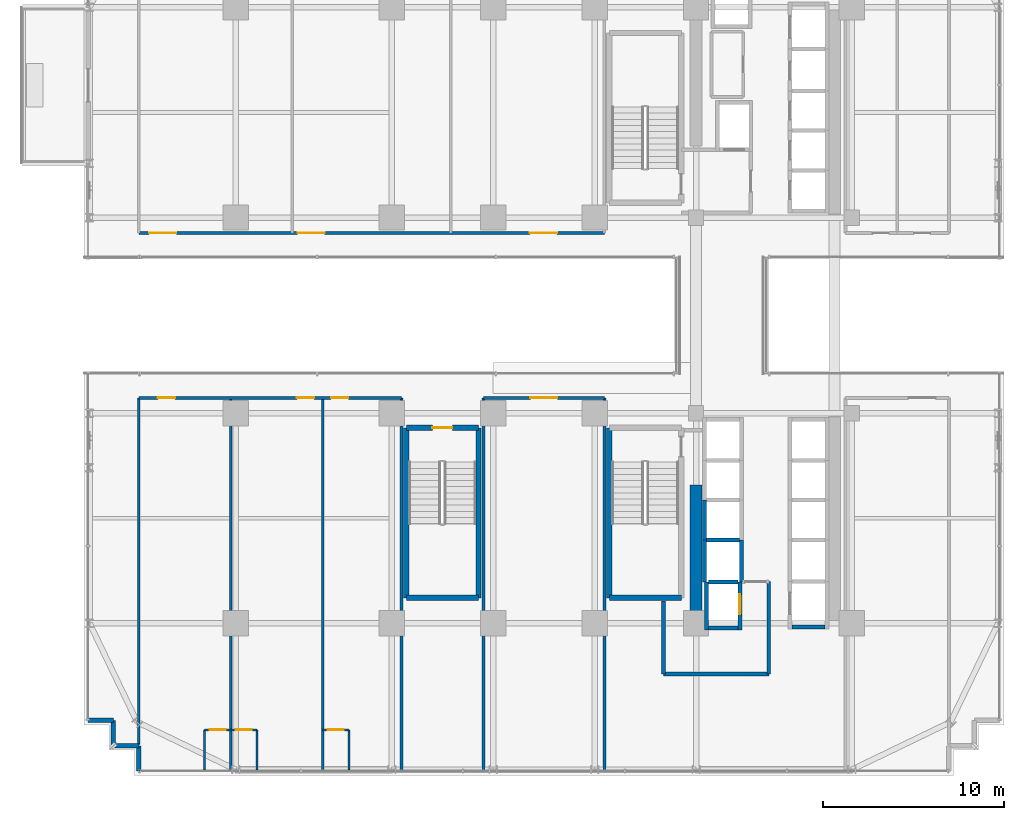
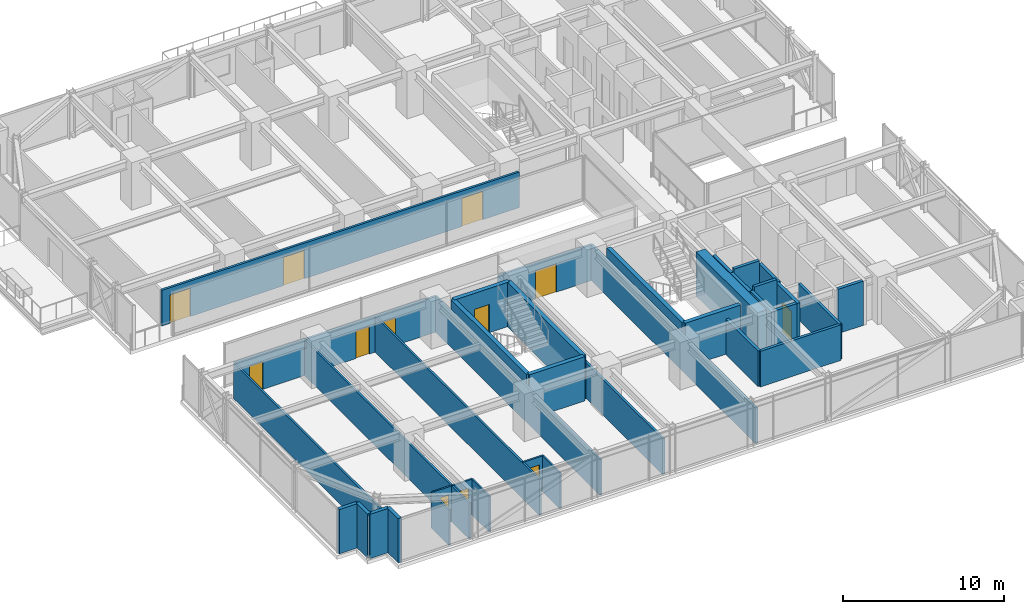
# One storey, part 36 of 43: 38 walls, 12 doors, 12 openings.
"""IFC4 building model written with IfcOpenShell, lengths in metres."""

from ifc_helpers import new_model, si_unit, direction, frame, frame_2d, origin, place, context, subcontext, project, spatial, rectangle, extrude, source, transform, mapped, material, layer, layer_set, type_object, element, fill, save


model = new_model("IFC4")

# Units and contexts
model_context = context("Model", 3, precision=1e-05, world=origin(), true_north=direction((0.0, 1.0)))
body_context = subcontext(model_context, "Body", "Model", "MODEL_VIEW")
ifc_project = project(units=[si_unit("LENGTHUNIT", "METRE"), si_unit("AREAUNIT", "SQUARE_METRE"), si_unit("VOLUMEUNIT", "CUBIC_METRE"), si_unit("PLANEANGLEUNIT", "RADIAN"), si_unit("MASSUNIT", "GRAM", prefix="KILO")], contexts=[model_context])

# Site, building, storey
site_placement = place(None, origin())
site = spatial("IfcSite", under=ifc_project, at=site_placement, CompositionType="ELEMENT")
building_placement = place(site_placement, origin())
building = spatial("IfcBuilding", under=site, at=building_placement, Name="Nahalor Promenade Grand Hotel", CompositionType="ELEMENT")
storey_placement = place(building_placement, frame((0.0, 0.0, 47.0)))
storey = spatial("IfcBuildingStorey", under=building, at=storey_placement, Name="L10", CompositionType="ELEMENT", Elevation=47.0)

# Walls
ifc_material_1 = material(Name="Concrete B-60 (C50/60)", Category="concrete")
ifc_layer_1 = layer(ifc_material_1, 0.64990234375)
ifc_layer_set_1 = layer_set([ifc_layer_1], Name="Concrete B-60 (C50/60)")
wall_type_1 = type_object("IfcWallType", Name="Wall-CoreShear-650", PredefinedType="SHEAR", material=ifc_layer_set_1)
shared_shape_1 = source(origin(), body_context, "Body", "SweptSolid", [
    extrude(rectangle(XDim=7.64990234375, YDim=0.64990234375, at=frame_2d((3.824951171875, 0.0))), origin(), (0.0, 0.0, 1.0), 3.3701171875),
])
wall_1_placement = place(storey_placement, frame((8.39990234375, -17.0, 0.0), z_axis=(0.0, 0.0, 1.0), x_axis=(0.0, 1.0, 0.0)))
element("IfcWall", 1, at=wall_1_placement, inside=storey, type_object=wall_type_1, Name="CWALL-L10-SW", PredefinedType="SHEAR", context=body_context, shape_type="MappedRepresentation", body=[
    mapped(shared_shape_1, transform((0.0, 0.0, 0.0), scale=1.0)),
])
ifc_material_2 = material(Name="Concrete B-50 (C40/50)", Category="concrete")
ifc_layer_2 = layer(ifc_material_2, 0.300048828125)
ifc_layer_set_2 = layer_set([ifc_layer_2], Name="Concrete B-50 (C40/50)")
wall_type_2 = type_object("IfcWallType", Name="Wall-ShaftShear-300", PredefinedType="SHEAR", material=ifc_layer_set_2)
shared_shape_2 = source(origin(), body_context, "Body", "SweptSolid", [
    extrude(rectangle(XDim=3.97998046875, YDim=0.300048828125, at=frame_2d((1.989990234375, 0.0))), origin(), (0.0, 0.0, 1.0), 3.3701171875),
])
for number, where, z_axis, x_axis, name in (
    (2, (3.610107421875, -15.590087890625, 0.0), (0.0, 0.0, 1.0), (1.0, 0.0, 0.0), "L10 Exit Stair ST2 Shaft Wall S"),
    (3, (-7.590087890625, -15.590087890625, 0.0), (0.0, 0.0, 1.0), (1.0, 0.0, 0.0), "L10 Exit Stair ST3 Shaft Wall S"),
):
    element("IfcWall", number, at=place(storey_placement, frame(where, z_axis=z_axis, x_axis=x_axis)), inside=storey, type_object=wall_type_2, Name=name, PredefinedType="SHEAR", context=body_context, shape_type="MappedRepresentation", body=[
        mapped(shared_shape_2, transform((0.0, 0.0, 0.0), scale=1.0)),
    ])

# Wall, opening, door
wall_2_placement = place(storey_placement, frame((-7.590087890625, -6.2099609375, 0.0), z_axis=(0.0, 0.0, 1.0), x_axis=(1.0, 0.0, 0.0)))
wall_2 = element("IfcWall", 4, at=wall_2_placement, inside=storey, type_object=wall_type_2, Name="L10 Exit Stair ST3 Shaft Wall N", PredefinedType="SHEAR", context=body_context, shape_type="MappedRepresentation", body=[
    mapped(shared_shape_2, transform((0.0, 0.0, 0.0), scale=1.0)),
])
opening_1_placement = place(wall_2_placement, frame((1.43994140625, 0.0, 0.0)))
opening_1 = element("IfcOpeningElement", 5, at=opening_1_placement, cuts=wall_2, Name="Opening D-ST1", PredefinedType="OPENING", context=body_context, shape_type="SweptSolid", body=[
    extrude(rectangle(XDim=1.10009765625, YDim=2.14990234375, at=frame_2d((0.550048828125, 1.074951171875))), frame((0.0, 0.159912109375, 0.0), z_axis=(0.0, -1.0, 0.0), x_axis=(1.0, 0.0, 0.0)), (0.0, 0.0, 1.0), 0.320068359375),
])
ifc_material_3 = material(Name="Steel S355JR", Category="steel")
door_type_1 = type_object("IfcDoorType", Name="Door-StairFire-1100", OperationType="NOTDEFINED", PredefinedType="DOOR", material=ifc_material_3)
shared_shape_3 = source(origin(), body_context, "Body", "SweptSolid", [
    extrude(rectangle(XDim=1.10009765625, YDim=2.14990234375, at=frame_2d((0.550048828125, 1.074951171875))), frame((0.0, 0.02490234375, 0.0), z_axis=(0.0, -1.0, 0.0), x_axis=(1.0, 0.0, 0.0)), (0.0, 0.0, 1.0), 0.050048828125),
])
door_1_placement = place(opening_1_placement, frame((1.10009765625, 0.0, 0.0), z_axis=(0.0, 0.0, 1.0), x_axis=(-1.0, 0.0, 0.0)))
door_1 = element("IfcDoor", 6, at=door_1_placement, inside=storey, type_object=door_type_1, Name="DR-STAIR-ST3-L10", OperationType="SINGLE_SWING_LEFT", OverallHeight=2.14990234375, OverallWidth=1.10009765625, PredefinedType="DOOR", context=body_context, shape_type="MappedRepresentation", body=[
    mapped(shared_shape_3, transform((0.0, 0.0, 0.0), scale=1.0)),
])
fill(opening_1, door_1)

# Walls
shared_shape_4 = source(origin(), body_context, "Body", "SweptSolid", [
    extrude(rectangle(XDim=9.380126953125, YDim=0.300048828125, at=frame_2d((4.68994140625, 0.0))), origin(), (0.0, 0.0, 1.0), 3.3701171875),
])
for number, where, z_axis, x_axis, name in (
    (7, (3.610107421875, -15.590087890625, 0.0), (0.0, 0.0, 1.0), (0.0, 1.0, 0.0), "L10 Exit Stair ST2 Shaft Wall W"),
    (8, (-7.590087890625, -15.590087890625, 0.0), (0.0, 0.0, 1.0), (0.0, 1.0, 0.0), "L10 Exit Stair ST3 Shaft Wall W"),
    (9, (-3.610107421875, -15.590087890625, 0.0), (0.0, 0.0, 1.0), (0.0, 1.0, 0.0), "L10 Exit Stair ST3 Shaft Wall E"),
):
    element("IfcWall", number, at=place(storey_placement, frame(where, z_axis=z_axis, x_axis=x_axis)), inside=storey, type_object=wall_type_2, Name=name, PredefinedType="SHEAR", context=body_context, shape_type="MappedRepresentation", body=[
        mapped(shared_shape_4, transform((0.0, 0.0, 0.0), scale=1.0)),
    ])
ifc_layer_3 = layer(ifc_material_2, 0.219970703125)
ifc_layer_set_3 = layer_set([ifc_layer_3], Name="Concrete B-50 (C40/50)")
wall_type_3 = type_object("IfcWallType", Name="Wall-LiftShaft-220", PredefinedType="SHEAR", material=ifc_layer_set_3)
shared_shape_5 = source(origin(), body_context, "Body", "SweptSolid", [
    extrude(rectangle(XDim=1.820068359375, YDim=0.219970703125, at=frame_2d((0.91015625, 0.0))), origin(), (0.0, 0.0, 1.0), 3.3701171875),
])
wall_3_placement = place(storey_placement, frame((13.68994140625, -17.199951171875, 0.0), z_axis=(0.0, 0.0, 1.0), x_axis=(1.0, 0.0, 0.0)))
element("IfcWall", 10, at=wall_3_placement, inside=storey, type_object=wall_type_3, Name="L10 Lift SV2 Hoistway Wall S", PredefinedType="SHEAR", context=body_context, shape_type="MappedRepresentation", body=[
    mapped(shared_shape_5, transform((0.0, 0.0, 0.0), scale=1.0)),
])
shared_shape_6 = source(origin(), body_context, "Body", "SweptSolid", [
    extrude(rectangle(XDim=1.820068359375, YDim=0.219970703125, at=frame_2d((0.91015625, 0.0))), origin(), (0.0, 0.0, 1.0), 3.64990234375),
])
wall_4_placement = place(storey_placement, frame((8.989990234375, -12.39990234375, 0.0), z_axis=(0.0, 0.0, 1.0), x_axis=(1.0, 0.0, 0.0)))
element("IfcWall", 11, at=wall_4_placement, inside=storey, type_object=wall_type_3, Name="L10 Lift PL12 Hoistway Wall N", PredefinedType="SHEAR", context=body_context, shape_type="MappedRepresentation", body=[
    mapped(shared_shape_6, transform((0.0, 0.0, 0.0), scale=1.0)),
])
shared_shape_7 = source(origin(), body_context, "Body", "SweptSolid", [
    extrude(rectangle(XDim=2.199951171875, YDim=0.219970703125, at=frame_2d((1.10009765625, 0.0))), origin(), (0.0, 0.0, 1.0), 3.3701171875),
])
wall_5_placement = place(storey_placement, frame((8.8798828125, -12.39990234375, 0.0), z_axis=(0.0, 0.0, 1.0), x_axis=(0.0, 1.0, 0.0)))
element("IfcWall", 12, at=wall_5_placement, inside=storey, type_object=wall_type_3, Name="L10 Lift PL11 Hoistway Wall W", PredefinedType="SHEAR", context=body_context, shape_type="MappedRepresentation", body=[
    mapped(shared_shape_7, transform((0.0, 0.0, 0.0), scale=1.0)),
])
shared_shape_8 = source(origin(), body_context, "Body", "SweptSolid", [
    extrude(rectangle(XDim=2.3251953125, YDim=0.219970703125, at=frame_2d((1.16259765625, 0.0))), origin(), (0.0, 0.0, 1.0), 3.3701171875),
])
for number, where, z_axis, x_axis, name in (
    (13, (8.8798828125, -14.72509765625, 0.0), (0.0, 0.0, 1.0), (0.0, 1.0, 0.0), "L10 Lift PL12 Hoistway Wall W"),
    (14, (10.919921875, -14.72509765625, 0.0), (0.0, 0.0, 1.0), (0.0, 1.0, 0.0), "L10 Lift PL12 Hoistway Wall E"),
):
    element("IfcWall", number, at=place(storey_placement, frame(where, z_axis=z_axis, x_axis=x_axis)), inside=storey, type_object=wall_type_3, Name=name, PredefinedType="SHEAR", context=body_context, shape_type="MappedRepresentation", body=[
        mapped(shared_shape_8, transform((0.0, 0.0, 0.0), scale=1.0)),
    ])
shared_shape_9 = source(origin(), body_context, "Body", "SweptSolid", [
    extrude(rectangle(XDim=2.635009765625, YDim=0.219970703125, at=frame_2d((1.3173828125, 0.0))), origin(), (0.0, 0.0, 1.0), 3.3701171875),
])
wall_6_placement = place(storey_placement, frame((8.97998046875, -17.360107421875, 0.0), z_axis=(0.0, 0.0, 1.0), x_axis=(0.0, 1.0, 0.0)))
element("IfcWall", 15, at=wall_6_placement, inside=storey, type_object=wall_type_3, Name="L10 Lift FL2 Hoistway Wall W", PredefinedType="SHEAR", context=body_context, shape_type="MappedRepresentation", body=[
    mapped(shared_shape_9, transform((0.0, 0.0, 0.0), scale=1.0)),
])

# Wall, opening, door
wall_7_placement = place(storey_placement, frame((10.820068359375, -17.360107421875, 0.0), z_axis=(0.0, 0.0, 1.0), x_axis=(0.0, 1.0, 0.0)))
wall_7 = element("IfcWall", 16, at=wall_7_placement, inside=storey, type_object=wall_type_3, Name="L10 Lift FL2 Hoistway Wall E", PredefinedType="SHEAR", context=body_context, shape_type="MappedRepresentation", body=[
    mapped(shared_shape_9, transform((0.0, 0.0, 0.0), scale=1.0)),
])
opening_2_placement = place(wall_7_placement, frame((0.860107421875, 0.0, 0.0)))
opening_2 = element("IfcOpeningElement", 17, at=opening_2_placement, cuts=wall_7, Name="Opening LD-02", PredefinedType="OPENING", context=body_context, shape_type="SweptSolid", body=[
    extrude(rectangle(XDim=1.10009765625, YDim=2.199951171875, at=frame_2d((0.550048828125, 1.10009765625))), frame((0.0, 0.119873046875, 0.0), z_axis=(0.0, -1.0, 0.0), x_axis=(1.0, 0.0, 0.0)), (0.0, 0.0, 1.0), 0.239990234375),
])
door_type_2 = type_object("IfcDoorType", Name="Door-LiftFF-1100", OperationType="DOUBLE_DOOR_SLIDING", PredefinedType="DOOR", material=ifc_material_3)
shared_shape_10 = source(origin(), body_context, "Body", "SweptSolid", [
    extrude(rectangle(XDim=1.10009765625, YDim=2.199951171875, at=frame_2d((0.550048828125, 1.10009765625))), frame((0.0, 0.02490234375, 0.0), z_axis=(0.0, -1.0, 0.0), x_axis=(1.0, 0.0, 0.0)), (0.0, 0.0, 1.0), 0.050048828125),
])
door_2_placement = place(opening_2_placement, frame((1.10009765625, 0.0, 0.0), z_axis=(0.0, 0.0, 1.0), x_axis=(-1.0, 0.0, 0.0)))
door_2 = element("IfcDoor", 18, at=door_2_placement, inside=storey, type_object=door_type_2, Name="DR-LIFT-FL2-L10", OperationType="DOUBLE_DOOR_SLIDING", OverallHeight=2.199951171875, OverallWidth=1.10009765625, PredefinedType="DOOR", context=body_context, shape_type="MappedRepresentation", body=[
    mapped(shared_shape_10, transform((0.0, 0.0, 0.0), scale=1.0)),
])
fill(opening_2, door_2)

# Walls
shared_shape_11 = source(origin(), body_context, "Body", "SweptSolid", [
    extrude(rectangle(XDim=1.619873046875, YDim=0.219970703125, at=frame_2d((0.81005859375, 0.0))), origin(), (0.0, 0.0, 1.0), 3.3701171875),
])
wall_8_placement = place(storey_placement, frame((9.090087890625, -17.25, 0.0), z_axis=(0.0, 0.0, 1.0), x_axis=(1.0, 0.0, 0.0)))
element("IfcWall", 19, at=wall_8_placement, inside=storey, type_object=wall_type_3, Name="L10 Lift FL2 Hoistway Wall S", PredefinedType="SHEAR", context=body_context, shape_type="MappedRepresentation", body=[
    mapped(shared_shape_11, transform((0.0, 0.0, 0.0), scale=1.0)),
])
shared_shape_12 = source(origin(), body_context, "Body", "SweptSolid", [
    extrude(rectangle(XDim=1.619873046875, YDim=0.219970703125, at=frame_2d((0.81005859375, 0.0))), origin(), (0.0, 0.0, 1.0), 3.64990234375),
])
wall_9_placement = place(storey_placement, frame((9.090087890625, -14.72509765625, 0.0), z_axis=(0.0, 0.0, 1.0), x_axis=(1.0, 0.0, 0.0)))
element("IfcWall", 20, at=wall_9_placement, inside=storey, type_object=wall_type_3, Name="L10 Lift FL2 Hoistway Wall N", PredefinedType="SHEAR", context=body_context, shape_type="MappedRepresentation", body=[
    mapped(shared_shape_12, transform((0.0, 0.0, 0.0), scale=1.0)),
])
ifc_material_4 = material(Name="Concrete B-40 (C32/40)", Category="concrete")
ifc_layer_4 = layer(ifc_material_4, 0.25)
ifc_layer_set_4 = layer_set([ifc_layer_4], Name="Concrete B-40 (C32/40)")
wall_type_4 = type_object("IfcWallType", Name="Wall-BronzePier-250", PredefinedType="STANDARD", material=ifc_layer_set_4)
shared_shape_13 = source(origin(), body_context, "Body", "SweptSolid", [
    extrude(rectangle(XDim=1.39990234375, YDim=0.25, at=frame_2d((0.699951171875, 0.0))), origin(), (0.0, 0.0, 1.0), 3.3701171875),
])
for number, where, z_axis, x_axis, name in (
    (21, (-25.159912109375, -22.360107421875, 0.0), (0.0, 0.0, 1.0), (1.0, 0.0, 0.0), "W-L10-SR-13"),
    (22, (-23.760009765625, -23.760009765625, 0.0), (0.0, 0.0, 1.0), (0.0, 1.0, 0.0), "W-L10-SR-14"),
    (23, (-23.760009765625, -23.760009765625, 0.0), (0.0, 0.0, 1.0), (1.0, 0.0, 0.0), "W-L10-SR-15"),
    (24, (-22.360107421875, -25.159912109375, 0.0), (0.0, 0.0, 1.0), (0.0, 1.0, 0.0), "W-L10-SR-16"),
):
    element("IfcWall", number, at=place(storey_placement, frame(where, z_axis=z_axis, x_axis=x_axis)), inside=storey, type_object=wall_type_4, Name=name, PredefinedType="STANDARD", context=body_context, shape_type="MappedRepresentation", body=[
        mapped(shared_shape_13, transform((0.0, 0.0, 0.0), scale=1.0)),
    ])
ifc_layer_5 = layer(ifc_material_4, 0.199951171875)
ifc_layer_set_5 = layer_set([ifc_layer_5], Name="Concrete B-40 (C32/40)")
wall_type_5 = type_object("IfcWallType", Name="Wall-PartFire-200", PredefinedType="PARTITIONING", material=ifc_layer_set_5)
shared_shape_14 = source(origin(), body_context, "Body", "SweptSolid", [
    extrude(rectangle(XDim=5.81982421875, YDim=0.199951171875, at=frame_2d((2.909912109375, 0.0))), origin(), (0.0, 0.0, 1.0), 2.7099609375),
])
wall_10_placement = place(storey_placement, frame((6.60009765625, -19.800048828125, 0.0), z_axis=(0.0, 0.0, 1.0), x_axis=(1.0, 0.0, 0.0)))
element("IfcWall", 25, at=wall_10_placement, inside=storey, type_object=wall_type_5, Name="W-L10-FF2-S1", PredefinedType="PARTITIONING", context=body_context, shape_type="MappedRepresentation", body=[
    mapped(shared_shape_14, transform((0.0, 0.0, 0.0), scale=1.0)),
])
shared_shape_15 = source(origin(), body_context, "Body", "SweptSolid", [
    extrude(rectangle(XDim=4.030029296875, YDim=0.199951171875, at=frame_2d((2.01513671875, 0.0))), origin(), (0.0, 0.0, 1.0), 2.7099609375),
])
wall_11_placement = place(storey_placement, frame((6.60009765625, -19.800048828125, 0.0), z_axis=(0.0, 0.0, 1.0), x_axis=(0.0, 1.0, 0.0)))
element("IfcWall", 26, at=wall_11_placement, inside=storey, type_object=wall_type_5, Name="W-L10-FF2-W1", PredefinedType="PARTITIONING", context=body_context, shape_type="MappedRepresentation", body=[
    mapped(shared_shape_15, transform((0.0, 0.0, 0.0), scale=1.0)),
])
shared_shape_16 = source(origin(), body_context, "Body", "SweptSolid", [
    extrude(rectangle(XDim=5.10009765625, YDim=0.199951171875, at=frame_2d((2.550048828125, 0.0))), origin(), (0.0, 0.0, 1.0), 2.7099609375),
])
wall_12_placement = place(storey_placement, frame((12.419921875, -19.800048828125, 0.0), z_axis=(0.0, 0.0, 1.0), x_axis=(0.0, 1.0, 0.0)))
element("IfcWall", 27, at=wall_12_placement, inside=storey, type_object=wall_type_5, Name="W-L10-FF2-E", PredefinedType="PARTITIONING", context=body_context, shape_type="MappedRepresentation", body=[
    mapped(shared_shape_16, transform((0.0, 0.0, 0.0), scale=1.0)),
])
ifc_material_5 = material(Name="Acoustic Mineral Gypsum", Category="gypsum")
ifc_layer_6 = layer(ifc_material_5, 0.159912109375)
ifc_layer_set_6 = layer_set([ifc_layer_6], Name="Acoustic Mineral Gypsum")
wall_type_6 = type_object("IfcWallType", Name="Wall-PartCorridor-160", PredefinedType="PARTITIONING", material=ifc_layer_set_6)
shared_shape_17 = source(origin(), body_context, "Body", "SweptSolid", [
    extrude(rectangle(XDim=20.550048828125, YDim=0.159912109375, at=frame_2d((10.27490234375, 0.0))), origin(), (0.0, 0.0, 1.0), 2.7099609375),
])
for number, where, z_axis, x_axis, name in (
    (28, (-3.340087890625, -25.10009765625, 0.0), (0.0, 0.0, 1.0), (0.0, 1.0, 0.0), "W-L10-SCB-W"),
    (29, (3.340087890625, -25.10009765625, 0.0), (0.0, 0.0, 1.0), (0.0, 1.0, 0.0), "W-L10-SCB-E"),
):
    element("IfcWall", number, at=place(storey_placement, frame(where, z_axis=z_axis, x_axis=x_axis)), inside=storey, type_object=wall_type_6, Name=name, PredefinedType="PARTITIONING", context=body_context, shape_type="MappedRepresentation", body=[
        mapped(shared_shape_17, transform((0.0, 0.0, 0.0), scale=1.0)),
    ])

# Wall, openings, doors
shared_shape_18 = source(origin(), body_context, "Body", "SweptSolid", [
    extrude(rectangle(XDim=25.7001953125, YDim=0.159912109375, at=frame_2d((12.85009765625, 0.0))), origin(), (0.0, 0.0, 1.0), 2.7099609375),
])
wall_13_placement = place(storey_placement, frame((-22.360107421875, 4.550048828125, 0.0), z_axis=(0.0, 0.0, 1.0), x_axis=(1.0, 0.0, 0.0)))
wall_13 = element("IfcWall", 30, at=wall_13_placement, inside=storey, type_object=wall_type_6, Name="W-L10-CORR-N", PredefinedType="PARTITIONING", context=body_context, shape_type="MappedRepresentation", body=[
    mapped(shared_shape_18, transform((0.0, 0.0, 0.0), scale=1.0)),
])
opening_3_placement = place(wall_13_placement, frame((0.568115234375, 0.0, 0.0)))
opening_3 = element("IfcOpeningElement", 31, at=opening_3_placement, cuts=wall_13, Name="Opening D-02", PredefinedType="OPENING", context=body_context, shape_type="SweptSolid", body=[
    extrude(rectangle(XDim=1.5, YDim=2.14990234375, at=frame_2d((0.75, 1.074951171875))), frame((0.0, 0.08984375, 0.0), z_axis=(0.0, -1.0, 0.0), x_axis=(1.0, 0.0, 0.0)), (0.0, 0.0, 1.0), 0.179931640625),
])
opening_4_placement = place(wall_13_placement, frame((8.762939453125, 0.0, 0.0)))
opening_4 = element("IfcOpeningElement", 32, at=opening_4_placement, cuts=wall_13, Name="Opening D-02", PredefinedType="OPENING", context=body_context, shape_type="SweptSolid", body=[
    extrude(rectangle(XDim=1.5, YDim=2.14990234375, at=frame_2d((0.75, 1.074951171875))), frame((0.0, 0.08984375, 0.0), z_axis=(0.0, -1.0, 0.0), x_axis=(1.0, 0.0, 0.0)), (0.0, 0.0, 1.0), 0.179931640625),
])
opening_5_placement = place(wall_13_placement, frame((21.5859375, 0.0, 0.0)))
opening_5 = element("IfcOpeningElement", 33, at=opening_5_placement, cuts=wall_13, Name="Opening D-02", PredefinedType="OPENING", context=body_context, shape_type="SweptSolid", body=[
    extrude(rectangle(XDim=1.5, YDim=2.14990234375, at=frame_2d((0.75, 1.074951171875))), frame((0.0, 0.08984375, 0.0), z_axis=(0.0, -1.0, 0.0), x_axis=(1.0, 0.0, 0.0)), (0.0, 0.0, 1.0), 0.179931640625),
])
ifc_material_6 = material(Name="Fire-Rated Timber Composite", Category="wood")
door_type_3 = type_object("IfcDoorType", Name="Door-SuiteDouble-1500", OperationType="DOUBLE_DOOR_SINGLE_SWING", PredefinedType="DOOR", material=ifc_material_6)
shared_shape_19 = source(origin(), body_context, "Body", "SweptSolid", [
    extrude(rectangle(XDim=1.5, YDim=2.14990234375, at=frame_2d((0.75, 1.074951171875))), frame((0.0, 0.02490234375, 0.0), z_axis=(0.0, -1.0, 0.0), x_axis=(1.0, 0.0, 0.0)), (0.0, 0.0, 1.0), 0.050048828125),
])
door_3_placement = place(opening_3_placement, origin())
door_3 = element("IfcDoor", 34, at=door_3_placement, inside=storey, type_object=door_type_3, Name="DR-L10-N1-ENT", OperationType="DOUBLE_DOOR_SINGLE_SWING", OverallHeight=2.14990234375, OverallWidth=1.5, PredefinedType="DOOR", context=body_context, shape_type="MappedRepresentation", body=[
    mapped(shared_shape_19, transform((0.0, 0.0, 0.0), scale=1.0)),
])
fill(opening_3, door_3)
door_4_placement = place(opening_4_placement, origin())
door_4 = element("IfcDoor", 35, at=door_4_placement, inside=storey, type_object=door_type_3, Name="DR-L10-N2-ENT", OperationType="DOUBLE_DOOR_SINGLE_SWING", OverallHeight=2.14990234375, OverallWidth=1.5, PredefinedType="DOOR", context=body_context, shape_type="MappedRepresentation", body=[
    mapped(shared_shape_19, transform((0.0, 0.0, 0.0), scale=1.0)),
])
fill(opening_4, door_4)
door_5_placement = place(opening_5_placement, origin())
door_5 = element("IfcDoor", 36, at=door_5_placement, inside=storey, type_object=door_type_3, Name="DR-L10-N3-ENT", OperationType="DOUBLE_DOOR_SINGLE_SWING", OverallHeight=2.14990234375, OverallWidth=1.5, PredefinedType="DOOR", context=body_context, shape_type="MappedRepresentation", body=[
    mapped(shared_shape_19, transform((0.0, 0.0, 0.0), scale=1.0)),
])
fill(opening_5, door_5)

# Walls
ifc_layer_7 = layer(ifc_material_5, 0.139892578125)
ifc_layer_set_7 = layer_set([ifc_layer_7], Name="Acoustic Mineral Gypsum")
wall_type_7 = type_object("IfcWallType", Name="Wall-PartSuite-140", PredefinedType="PARTITIONING", material=ifc_layer_set_7)
shared_shape_20 = source(origin(), body_context, "Body", "SweptSolid", [
    extrude(rectangle(XDim=19.1298828125, YDim=0.139892578125, at=frame_2d((9.56494140625, 0.0))), origin(), (0.0, 0.0, 1.0), 2.7099609375),
])
wall_14_placement = place(storey_placement, frame((-22.360107421875, -23.679931640625, 0.0), z_axis=(0.0, 0.0, 1.0), x_axis=(0.0, 1.0, 0.0)))
element("IfcWall", 37, at=wall_14_placement, inside=storey, type_object=wall_type_7, Name="W-L10-SW-ENDW", PredefinedType="PARTITIONING", context=body_context, shape_type="MappedRepresentation", body=[
    mapped(shared_shape_20, transform((0.0, 0.0, 0.0), scale=1.0)),
])
shared_shape_21 = source(origin(), body_context, "Body", "SweptSolid", [
    extrude(rectangle(XDim=20.550048828125, YDim=0.139892578125, at=frame_2d((10.27490234375, 0.0))), origin(), (0.0, 0.0, 1.0), 2.7099609375),
])
for number, where, z_axis, x_axis, name in (
    (38, (-7.860107421875, -25.10009765625, 0.0), (0.0, 0.0, 1.0), (0.0, 1.0, 0.0), "W-L10-SW-ENDE"),
    (39, (-17.284912109375, -25.10009765625, 0.0), (0.0, 0.0, 1.0), (0.0, 1.0, 0.0), "W-L10-SP-1"),
    (40, (-12.2099609375, -25.10009765625, 0.0), (0.0, 0.0, 1.0), (0.0, 1.0, 0.0), "W-L10-SP-2"),
):
    element("IfcWall", number, at=place(storey_placement, frame(where, z_axis=z_axis, x_axis=x_axis)), inside=storey, type_object=wall_type_7, Name=name, PredefinedType="PARTITIONING", context=body_context, shape_type="MappedRepresentation", body=[
        mapped(shared_shape_21, transform((0.0, 0.0, 0.0), scale=1.0)),
    ])

# Wall, opening, door
ifc_layer_8 = layer(ifc_material_5, 0.1201171875)
ifc_layer_set_8 = layer_set([ifc_layer_8], Name="Acoustic Mineral Gypsum")
wall_type_8 = type_object("IfcWallType", Name="Wall-PartBath-120", PredefinedType="PARTITIONING", material=ifc_layer_set_8)
shared_shape_22 = source(origin(), body_context, "Body", "SweptSolid", [
    extrude(rectangle(XDim=1.4501953125, YDim=0.1201171875, at=frame_2d((0.72509765625, 0.0))), origin(), (0.0, 0.0, 1.0), 2.7099609375),
])
wall_15_placement = place(storey_placement, frame((-18.735107421875, -22.8798828125, 0.0), z_axis=(0.0, 0.0, 1.0), x_axis=(1.0, 0.0, 0.0)))
wall_15 = element("IfcWall", 41, at=wall_15_placement, inside=storey, type_object=wall_type_8, Name="W-L10-S1-BH", PredefinedType="PARTITIONING", context=body_context, shape_type="MappedRepresentation", body=[
    mapped(shared_shape_22, transform((0.0, 0.0, 0.0), scale=1.0)),
])
opening_6_placement = place(wall_15_placement, frame((0.284912109375, 0.0, 0.0)))
opening_6 = element("IfcOpeningElement", 42, at=opening_6_placement, cuts=wall_15, Name="Opening D-03", PredefinedType="OPENING", context=body_context, shape_type="SweptSolid", body=[
    extrude(rectangle(XDim=0.8798828125, YDim=2.10009765625, at=frame_2d((0.43994140625, 1.050048828125))), frame((0.0, 0.070068359375, 0.0), z_axis=(0.0, -1.0, 0.0), x_axis=(1.0, 0.0, 0.0)), (0.0, 0.0, 1.0), 0.14013671875),
])
door_type_4 = type_object("IfcDoorType", Name="Door-BathSwing-880", OperationType="NOTDEFINED", PredefinedType="DOOR", material=ifc_material_6)
shared_shape_23 = source(origin(), body_context, "Body", "SweptSolid", [
    extrude(rectangle(XDim=0.8798828125, YDim=2.10009765625, at=frame_2d((0.43994140625, 1.050048828125))), frame((0.0, 0.02490234375, 0.0), z_axis=(0.0, -1.0, 0.0), x_axis=(1.0, 0.0, 0.0)), (0.0, 0.0, 1.0), 0.050048828125),
])
door_6_placement = place(opening_6_placement, frame((0.8798828125, 0.0, 0.0), z_axis=(0.0, 0.0, 1.0), x_axis=(-1.0, 0.0, 0.0)))
door_6 = element("IfcDoor", 43, at=door_6_placement, inside=storey, type_object=door_type_4, Name="DR-L10-S1-BATH", OperationType="SINGLE_SWING_RIGHT", OverallHeight=2.10009765625, OverallWidth=0.8798828125, PredefinedType="DOOR", context=body_context, shape_type="MappedRepresentation", body=[
    mapped(shared_shape_23, transform((0.0, 0.0, 0.0), scale=1.0)),
])
fill(opening_6, door_6)

# Walls
shared_shape_24 = source(origin(), body_context, "Body", "SweptSolid", [
    extrude(rectangle(XDim=2.22021484375, YDim=0.1201171875, at=frame_2d((1.110107421875, 0.0))), origin(), (0.0, 0.0, 1.0), 2.7099609375),
])
for number, where, z_axis, x_axis, name in (
    (44, (-18.735107421875, -25.10009765625, 0.0), (0.0, 0.0, 1.0), (0.0, 1.0, 0.0), "W-L10-S1-BV"),
    (45, (-15.8349609375, -25.10009765625, 0.0), (0.0, 0.0, 1.0), (0.0, 1.0, 0.0), "W-L10-S2-BV"),
    (46, (-10.760009765625, -25.10009765625, 0.0), (0.0, 0.0, 1.0), (0.0, 1.0, 0.0), "W-L10-S3-BV"),
):
    element("IfcWall", number, at=place(storey_placement, frame(where, z_axis=z_axis, x_axis=x_axis)), inside=storey, type_object=wall_type_8, Name=name, PredefinedType="PARTITIONING", context=body_context, shape_type="MappedRepresentation", body=[
        mapped(shared_shape_24, transform((0.0, 0.0, 0.0), scale=1.0)),
    ])

# Wall, opening, door
shared_shape_25 = source(origin(), body_context, "Body", "SweptSolid", [
    extrude(rectangle(XDim=1.449951171875, YDim=0.1201171875, at=frame_2d((0.72509765625, 0.0))), origin(), (0.0, 0.0, 1.0), 2.7099609375),
])
wall_16_placement = place(storey_placement, frame((-17.284912109375, -22.8798828125, 0.0), z_axis=(0.0, 0.0, 1.0), x_axis=(1.0, 0.0, 0.0)))
wall_16 = element("IfcWall", 47, at=wall_16_placement, inside=storey, type_object=wall_type_8, Name="W-L10-S2-BH", PredefinedType="PARTITIONING", context=body_context, shape_type="MappedRepresentation", body=[
    mapped(shared_shape_25, transform((0.0, 0.0, 0.0), scale=1.0)),
])
opening_7_placement = place(wall_16_placement, frame((0.284912109375, 0.0, 0.0)))
opening_7 = element("IfcOpeningElement", 48, at=opening_7_placement, cuts=wall_16, Name="Opening D-03", PredefinedType="OPENING", context=body_context, shape_type="SweptSolid", body=[
    extrude(rectangle(XDim=0.8798828125, YDim=2.10009765625, at=frame_2d((0.43994140625, 1.050048828125))), frame((0.0, 0.070068359375, 0.0), z_axis=(0.0, -1.0, 0.0), x_axis=(1.0, 0.0, 0.0)), (0.0, 0.0, 1.0), 0.14013671875),
])
door_7_placement = place(opening_7_placement, frame((0.8798828125, 0.0, 0.0), z_axis=(0.0, 0.0, 1.0), x_axis=(-1.0, 0.0, 0.0)))
door_7 = element("IfcDoor", 49, at=door_7_placement, inside=storey, type_object=door_type_4, Name="DR-L10-S2-BATH", OperationType="SINGLE_SWING_RIGHT", OverallHeight=2.10009765625, OverallWidth=0.8798828125, PredefinedType="DOOR", context=body_context, shape_type="MappedRepresentation", body=[
    mapped(shared_shape_23, transform((0.0, 0.0, 0.0), scale=1.0)),
])
fill(opening_7, door_7)

wall_17_placement = place(storey_placement, frame((-12.2099609375, -22.8798828125, 0.0), z_axis=(0.0, 0.0, 1.0), x_axis=(1.0, 0.0, 0.0)))
wall_17 = element("IfcWall", 50, at=wall_17_placement, inside=storey, type_object=wall_type_8, Name="W-L10-S3-BH", PredefinedType="PARTITIONING", context=body_context, shape_type="MappedRepresentation", body=[
    mapped(shared_shape_25, transform((0.0, 0.0, 0.0), scale=1.0)),
])
opening_8_placement = place(wall_17_placement, frame((0.284912109375, 0.0, 0.0)))
opening_8 = element("IfcOpeningElement", 51, at=opening_8_placement, cuts=wall_17, Name="Opening D-03", PredefinedType="OPENING", context=body_context, shape_type="SweptSolid", body=[
    extrude(rectangle(XDim=0.8798828125, YDim=2.10009765625, at=frame_2d((0.43994140625, 1.050048828125))), frame((0.0, 0.070068359375, 0.0), z_axis=(0.0, -1.0, 0.0), x_axis=(1.0, 0.0, 0.0)), (0.0, 0.0, 1.0), 0.14013671875),
])
door_8_placement = place(opening_8_placement, frame((0.8798828125, 0.0, 0.0), z_axis=(0.0, 0.0, 1.0), x_axis=(-1.0, 0.0, 0.0)))
door_8 = element("IfcDoor", 52, at=door_8_placement, inside=storey, type_object=door_type_4, Name="DR-L10-S3-BATH", OperationType="SINGLE_SWING_RIGHT", OverallHeight=2.10009765625, OverallWidth=0.8798828125, PredefinedType="DOOR", context=body_context, shape_type="MappedRepresentation", body=[
    mapped(shared_shape_23, transform((0.0, 0.0, 0.0), scale=1.0)),
])
fill(opening_8, door_8)

# Wall, openings, doors
shared_shape_26 = source(origin(), body_context, "Body", "SweptSolid", [
    extrude(rectangle(XDim=14.5, YDim=0.159912109375, at=frame_2d((7.25, 0.0))), origin(), (0.0, 0.0, 1.0), 2.7099609375),
])
wall_18_placement = place(storey_placement, frame((-22.360107421875, -4.550048828125, 0.0), z_axis=(0.0, 0.0, 1.0), x_axis=(1.0, 0.0, 0.0)))
wall_18 = element("IfcWall", 53, at=wall_18_placement, inside=storey, type_object=wall_type_6, Name="W-L10-CORR-S", PredefinedType="PARTITIONING", context=body_context, shape_type="MappedRepresentation", body=[
    mapped(shared_shape_26, transform((0.0, 0.0, 0.0), scale=1.0)),
])
opening_9_placement = place(wall_18_placement, frame((1.053955078125, 0.0, 0.0)))
opening_9 = element("IfcOpeningElement", 54, at=opening_9_placement, cuts=wall_18, Name="Opening D-01", PredefinedType="OPENING", context=body_context, shape_type="SweptSolid", body=[
    extrude(rectangle(XDim=0.949951171875, YDim=2.10009765625, at=frame_2d((0.47509765625, 1.050048828125))), frame((0.0, 0.08984375, 0.0), z_axis=(0.0, -1.0, 0.0), x_axis=(1.0, 0.0, 0.0)), (0.0, 0.0, 1.0), 0.179931640625),
])
opening_10_placement = place(wall_18_placement, frame((8.722900390625, 0.0, 0.0)))
opening_10 = element("IfcOpeningElement", 55, at=opening_10_placement, cuts=wall_18, Name="Opening D-01", PredefinedType="OPENING", context=body_context, shape_type="SweptSolid", body=[
    extrude(rectangle(XDim=0.949951171875, YDim=2.10009765625, at=frame_2d((0.47509765625, 1.050048828125))), frame((0.0, 0.08984375, 0.0), z_axis=(0.0, -1.0, 0.0), x_axis=(1.0, 0.0, 0.0)), (0.0, 0.0, 1.0), 0.179931640625),
])
opening_11_placement = place(wall_18_placement, frame((10.611083984375, 0.0, 0.0)))
opening_11 = element("IfcOpeningElement", 56, at=opening_11_placement, cuts=wall_18, Name="Opening D-01", PredefinedType="OPENING", context=body_context, shape_type="SweptSolid", body=[
    extrude(rectangle(XDim=0.949951171875, YDim=2.10009765625, at=frame_2d((0.47509765625, 1.050048828125))), frame((0.0, 0.08984375, 0.0), z_axis=(0.0, -1.0, 0.0), x_axis=(1.0, 0.0, 0.0)), (0.0, 0.0, 1.0), 0.179931640625),
])
door_type_5 = type_object("IfcDoorType", Name="Door-GuestEntry-950", OperationType="NOTDEFINED", PredefinedType="DOOR", material=ifc_material_6)
shared_shape_27 = source(origin(), body_context, "Body", "SweptSolid", [
    extrude(rectangle(XDim=0.949951171875, YDim=2.10009765625, at=frame_2d((0.47509765625, 1.050048828125))), frame((0.0, 0.02490234375, 0.0), z_axis=(0.0, -1.0, 0.0), x_axis=(1.0, 0.0, 0.0)), (0.0, 0.0, 1.0), 0.050048828125),
])
door_9_placement = place(opening_9_placement, frame((0.949951171875, 0.0, 0.0), z_axis=(0.0, 0.0, 1.0), x_axis=(-1.0, 0.0, 0.0)))
door_9 = element("IfcDoor", 57, at=door_9_placement, inside=storey, type_object=door_type_5, Name="DR-L10-S1-ENT", OperationType="SINGLE_SWING_LEFT", OverallHeight=2.10009765625, OverallWidth=0.949951171875, PredefinedType="DOOR", context=body_context, shape_type="MappedRepresentation", body=[
    mapped(shared_shape_27, transform((0.0, 0.0, 0.0), scale=1.0)),
])
fill(opening_9, door_9)
door_10_placement = place(opening_10_placement, frame((0.949951171875, 0.0, 0.0), z_axis=(0.0, 0.0, 1.0), x_axis=(-1.0, 0.0, 0.0)))
door_10 = element("IfcDoor", 58, at=door_10_placement, inside=storey, type_object=door_type_5, Name="DR-L10-S2-ENT", OperationType="SINGLE_SWING_LEFT", OverallHeight=2.10009765625, OverallWidth=0.949951171875, PredefinedType="DOOR", context=body_context, shape_type="MappedRepresentation", body=[
    mapped(shared_shape_27, transform((0.0, 0.0, 0.0), scale=1.0)),
])
fill(opening_10, door_10)
door_11_placement = place(opening_11_placement, frame((0.949951171875, 0.0, 0.0), z_axis=(0.0, 0.0, 1.0), x_axis=(-1.0, 0.0, 0.0)))
door_11 = element("IfcDoor", 59, at=door_11_placement, inside=storey, type_object=door_type_5, Name="DR-L10-S3-ENT", OperationType="SINGLE_SWING_LEFT", OverallHeight=2.10009765625, OverallWidth=0.949951171875, PredefinedType="DOOR", context=body_context, shape_type="MappedRepresentation", body=[
    mapped(shared_shape_27, transform((0.0, 0.0, 0.0), scale=1.0)),
])
fill(opening_11, door_11)

# Wall, opening, door
shared_shape_28 = source(origin(), body_context, "Body", "SweptSolid", [
    extrude(rectangle(XDim=6.68017578125, YDim=0.159912109375, at=frame_2d((3.340087890625, 0.0))), origin(), (0.0, 0.0, 1.0), 2.7099609375),
])
wall_19_placement = place(storey_placement, frame((-3.340087890625, -4.550048828125, 0.0), z_axis=(0.0, 0.0, 1.0), x_axis=(1.0, 0.0, 0.0)))
wall_19 = element("IfcWall", 60, at=wall_19_placement, inside=storey, type_object=wall_type_6, Name="W-L10-SCB-N", PredefinedType="PARTITIONING", context=body_context, shape_type="MappedRepresentation", body=[
    mapped(shared_shape_28, transform((0.0, 0.0, 0.0), scale=1.0)),
])
opening_12_placement = place(wall_19_placement, frame((2.590087890625, 0.0, 0.0)))
opening_12 = element("IfcOpeningElement", 61, at=opening_12_placement, cuts=wall_19, Name="Opening D-02", PredefinedType="OPENING", context=body_context, shape_type="SweptSolid", body=[
    extrude(rectangle(XDim=1.5, YDim=2.14990234375, at=frame_2d((0.75, 1.074951171875))), frame((0.0, 0.08984375, 0.0), z_axis=(0.0, -1.0, 0.0), x_axis=(1.0, 0.0, 0.0)), (0.0, 0.0, 1.0), 0.179931640625),
])
door_12_placement = place(opening_12_placement, frame((1.5, 0.0, 0.0), z_axis=(0.0, 0.0, 1.0), x_axis=(-1.0, 0.0, 0.0)))
door_12 = element("IfcDoor", 62, at=door_12_placement, inside=storey, type_object=door_type_3, Name="DR-L10-SCB", OperationType="DOUBLE_DOOR_SINGLE_SWING", OverallHeight=2.14990234375, OverallWidth=1.5, PredefinedType="DOOR", context=body_context, shape_type="MappedRepresentation", body=[
    mapped(shared_shape_19, transform((0.0, 0.0, 0.0), scale=1.0)),
])
fill(opening_12, door_12)

save(model, "model.ifc")
